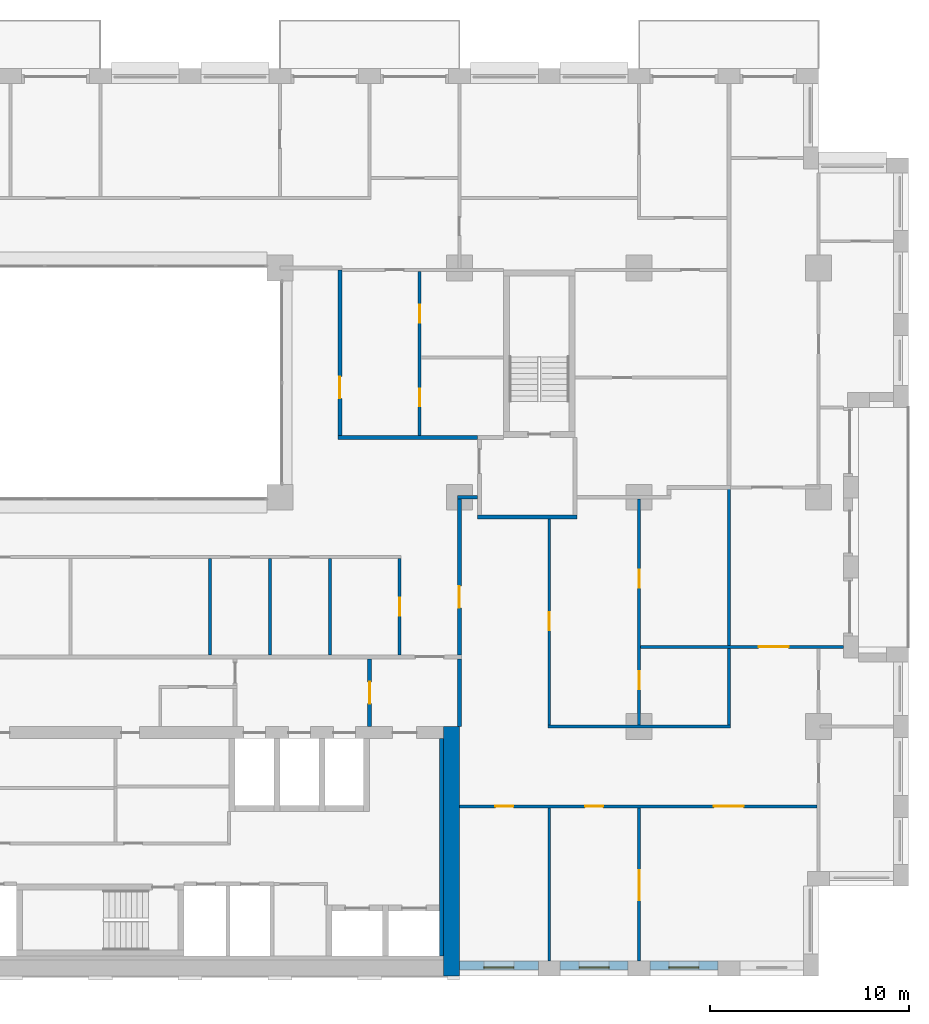
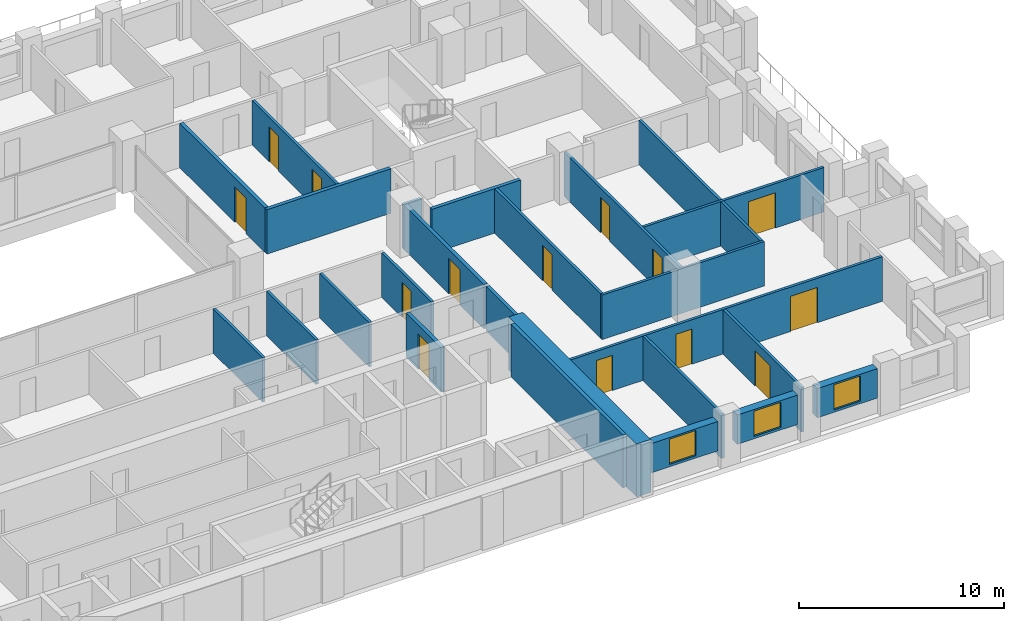
# One storey, part 11 of 17: 26 walls, 14 doors, 3 windows, 17 openings.
"""IFC4 building model written with IfcOpenShell, lengths in metres."""

from ifc_helpers import new_model, si_unit, direction, frame, frame_2d, origin, place, context, subcontext, project, spatial, rectangle, extrude, material, layer, layer_set, type_object, element, fill, save


model = new_model("IFC4")

# Units and contexts
model_context = context("Model", 3, precision=1e-05, world=origin(), true_north=direction((0.0, 1.0)))
body_context = subcontext(model_context, "Body", "Model", "MODEL_VIEW")
ifc_project = project(units=[si_unit("LENGTHUNIT", "METRE"), si_unit("AREAUNIT", "SQUARE_METRE"), si_unit("VOLUMEUNIT", "CUBIC_METRE"), si_unit("PLANEANGLEUNIT", "RADIAN"), si_unit("MASSUNIT", "GRAM", prefix="KILO")], contexts=[model_context])

# Site, building, storey
site_placement = place(None, origin())
site = spatial("IfcSite", under=ifc_project, at=site_placement, CompositionType="ELEMENT")
building_placement = place(site_placement, origin())
building = spatial("IfcBuilding", under=site, at=building_placement, Name="Brigalow Station Residences", CompositionType="ELEMENT")
storey_placement = place(building_placement, frame((0.0, 0.0, 127.64990234375)))
storey = spatial("IfcBuildingStorey", under=building, at=storey_placement, Name="L37", CompositionType="ELEMENT", Elevation=127.64990234375)

# Wall, opening, window
ifc_material_1 = material(Name="Clay brick masonry", Category="masonry")
ifc_layer_1 = layer(ifc_material_1, 0.449951171875)
ifc_layer_set_1 = layer_set([ifc_layer_1], Name="BRICK INFILL WALL 450")
wall_type_1 = type_object("IfcWallType", Name="BRICK INFILL WALL 450", PredefinedType="SOLIDWALL", material=ifc_layer_set_1)
wall_1_placement = place(storey_placement, frame((54.0, 0.52490234375, 0.900146484375), z_axis=(0.0, 0.0, 1.0), x_axis=(1.0, 0.0, 0.0)))
wall_1 = element("IfcWall", 1, at=wall_1_placement, inside=storey, type_object=wall_type_1, Name="L37/ewall/W-L37-4", PredefinedType="SOLIDWALL", context=body_context, shape_type="SweptSolid", body=[
    extrude(rectangle(XDim=3.949951171875, YDim=0.449951171875, at=frame_2d((1.97509765625, 0.0))), origin(), (0.0, 0.0, 1.0), 1.75),
])
opening_1_placement = place(wall_1_placement, frame((1.22509765625, 0.0, 0.14990234375)))
opening_1 = element("IfcOpeningElement", 2, at=opening_1_placement, cuts=wall_1, Name="Opening WT-1", PredefinedType="OPENING", context=body_context, shape_type="SweptSolid", body=[
    extrude(rectangle(XDim=1.5, YDim=1.5, at=frame_2d((0.75, 0.75))), frame((0.0, 0.23486328125, 0.0), z_axis=(0.0, -1.0, 0.0), x_axis=(1.0, 0.0, 0.0)), (0.0, 0.0, 1.0), 0.469970703125),
])
ifc_material_2 = material(Name="Anodised aluminium frame with double glazing", Category="aluminium")
window_type = type_object("IfcWindowType", Name="WINDOW 1500x1500", PartitioningType="SINGLE_PANEL", PredefinedType="WINDOW", material=ifc_material_2)
window_1_placement = place(opening_1_placement, origin())
window_1 = element("IfcWindow", 3, at=window_1_placement, inside=storey, type_object=window_type, Name="L37/window/W-L37-4", OverallHeight=1.5, OverallWidth=1.5, PartitioningType="SINGLE_PANEL", PredefinedType="WINDOW", context=body_context, shape_type="SweptSolid", body=[
    extrude(rectangle(XDim=1.5, YDim=1.5, at=frame_2d((0.75, 0.75))), frame((0.0, -0.06494140625, 0.0), z_axis=(0.0, -1.0, 0.0), x_axis=(1.0, 0.0, 0.0)), (0.0, 0.0, 1.0), 0.06005859375),
])
fill(opening_1, window_1)

wall_2_placement = place(storey_placement, frame((59.050048828125, 0.52490234375, 0.900146484375), z_axis=(0.0, 0.0, 1.0), x_axis=(1.0, 0.0, 0.0)))
wall_2 = element("IfcWall", 4, at=wall_2_placement, inside=storey, type_object=wall_type_1, Name="L37/ewall/W-L37-5", PredefinedType="SOLIDWALL", context=body_context, shape_type="SweptSolid", body=[
    extrude(rectangle(XDim=3.39990234375, YDim=0.449951171875, at=frame_2d((1.699951171875, 0.0))), origin(), (0.0, 0.0, 1.0), 1.75),
])
opening_2_placement = place(wall_2_placement, frame((0.949951171875, 0.0, 0.14990234375)))
opening_2 = element("IfcOpeningElement", 5, at=opening_2_placement, cuts=wall_2, Name="Opening WT-1", PredefinedType="OPENING", context=body_context, shape_type="SweptSolid", body=[
    extrude(rectangle(XDim=1.5, YDim=1.5, at=frame_2d((0.75, 0.75))), frame((0.0, 0.23486328125, 0.0), z_axis=(0.0, -1.0, 0.0), x_axis=(1.0, 0.0, 0.0)), (0.0, 0.0, 1.0), 0.469970703125),
])
window_2_placement = place(opening_2_placement, origin())
window_2 = element("IfcWindow", 6, at=window_2_placement, inside=storey, type_object=window_type, Name="L37/window/W-L37-5", OverallHeight=1.5, OverallWidth=1.5, PartitioningType="SINGLE_PANEL", PredefinedType="WINDOW", context=body_context, shape_type="SweptSolid", body=[
    extrude(rectangle(XDim=1.5, YDim=1.5, at=frame_2d((0.75, 0.75))), frame((0.0, -0.06494140625, 0.0), z_axis=(0.0, -1.0, 0.0), x_axis=(1.0, 0.0, 0.0)), (0.0, 0.0, 1.0), 0.06005859375),
])
fill(opening_2, window_2)

wall_3_placement = place(storey_placement, frame((63.550048828125, 0.52490234375, 0.900146484375), z_axis=(0.0, 0.0, 1.0), x_axis=(1.0, 0.0, 0.0)))
wall_3 = element("IfcWall", 7, at=wall_3_placement, inside=storey, type_object=wall_type_1, Name="L37/ewall/W-L37-6", PredefinedType="SOLIDWALL", context=body_context, shape_type="SweptSolid", body=[
    extrude(rectangle(XDim=3.39990234375, YDim=0.449951171875, at=frame_2d((1.699951171875, 0.0))), origin(), (0.0, 0.0, 1.0), 1.75),
])
opening_3_placement = place(wall_3_placement, frame((0.949951171875, 0.0, 0.14990234375)))
opening_3 = element("IfcOpeningElement", 8, at=opening_3_placement, cuts=wall_3, Name="Opening WT-1", PredefinedType="OPENING", context=body_context, shape_type="SweptSolid", body=[
    extrude(rectangle(XDim=1.5, YDim=1.5, at=frame_2d((0.75, 0.75))), frame((0.0, 0.23486328125, 0.0), z_axis=(0.0, -1.0, 0.0), x_axis=(1.0, 0.0, 0.0)), (0.0, 0.0, 1.0), 0.469970703125),
])
window_3_placement = place(opening_3_placement, origin())
window_3 = element("IfcWindow", 9, at=window_3_placement, inside=storey, type_object=window_type, Name="L37/window/W-L37-6", OverallHeight=1.5, OverallWidth=1.5, PartitioningType="SINGLE_PANEL", PredefinedType="WINDOW", context=body_context, shape_type="SweptSolid", body=[
    extrude(rectangle(XDim=1.5, YDim=1.5, at=frame_2d((0.75, 0.75))), frame((0.0, -0.06494140625, 0.0), z_axis=(0.0, -1.0, 0.0), x_axis=(1.0, 0.0, 0.0)), (0.0, 0.0, 1.0), 0.06005859375),
])
fill(opening_3, window_3)

# Walls
ifc_material_3 = material(Name="Concrete C65", Category="concrete")
ifc_layer_2 = layer(ifc_material_3, 0.199951171875)
ifc_layer_set_2 = layer_set([ifc_layer_2], Name="CORE SHEAR WALL 200 C65")
wall_type_2 = type_object("IfcWallType", Name="CORE SHEAR WALL 200 C65", PredefinedType="SHEAR", material=ifc_layer_set_2)
wall_4_placement = place(storey_placement, frame((53.10009765625, 1.0, 0.0), z_axis=(0.0, 0.0, 1.0), x_axis=(0.0, 1.0, 0.0)))
element("IfcWall", 10, at=wall_4_placement, inside=storey, type_object=wall_type_2, Name="CORE WALL LIN-E L37", PredefinedType="SHEAR", context=body_context, shape_type="SweptSolid", body=[
    extrude(rectangle(XDim=10.89990234375, YDim=0.199951171875, at=frame_2d((5.449951171875, 0.0))), origin(), (0.0, 0.0, 1.0), 3.150146484375),
])
ifc_material_4 = material(Name="Concrete C65", Category="concrete")
ifc_layer_3 = layer(ifc_material_4, 0.800048828125)
ifc_layer_set_3 = layer_set([ifc_layer_3], Name="CORE SHEAR WALL 800 C65")
wall_type_3 = type_object("IfcWallType", Name="CORE SHEAR WALL 800 C65", PredefinedType="SHEAR", material=ifc_layer_set_3)
wall_5_placement = place(storey_placement, frame((53.60009765625, 0.0, 0.0), z_axis=(0.0, 0.0, 1.0), x_axis=(0.0, 1.0, 0.0)))
element("IfcWall", 11, at=wall_5_placement, inside=storey, type_object=wall_type_3, Name="CORE WALL OUT-E L37", PredefinedType="SHEAR", context=body_context, shape_type="SweptSolid", body=[
    extrude(rectangle(XDim=12.5, YDim=0.800048828125, at=frame_2d((6.25, 0.0))), origin(), (0.0, 0.0, 1.0), 3.150146484375),
])
ifc_material_5 = material(Name="Concrete blockwork", Category="masonry")
ifc_layer_4 = layer(ifc_material_5, 0.199951171875)
ifc_layer_set_4 = layer_set([ifc_layer_4], Name="FIRE RATED CORE PARTITION 200")
wall_type_4 = type_object("IfcWallType", Name="FIRE RATED CORE PARTITION 200", PredefinedType="PARTITIONING", material=ifc_layer_set_4)
wall_6_placement = place(storey_placement, frame((54.89990234375, 23.0, 0.0), z_axis=(0.0, 0.0, 1.0), x_axis=(1.0, 0.0, 0.0)))
element("IfcWall", 12, at=wall_6_placement, inside=storey, type_object=wall_type_4, Name="PW-5024", PredefinedType="PARTITIONING", context=body_context, shape_type="SweptSolid", body=[
    extrude(rectangle(XDim=5.0, YDim=0.199951171875, at=frame_2d((2.5, 0.0))), origin(), (0.0, 0.0, 1.0), 2.650146484375),
])

# Wall, opening, door
wall_7_placement = place(storey_placement, frame((49.5, 12.5, 0.0), z_axis=(0.0, 0.0, 1.0), x_axis=(0.0, 1.0, 0.0)))
wall_7 = element("IfcWall", 13, at=wall_7_placement, inside=storey, type_object=wall_type_4, Name="PW-5015", PredefinedType="PARTITIONING", context=body_context, shape_type="SweptSolid", body=[
    extrude(rectangle(XDim=3.39990234375, YDim=0.199951171875, at=frame_2d((1.699951171875, 0.0))), origin(), (0.0, 0.0, 1.0), 2.650146484375),
])
opening_4_placement = place(wall_7_placement, frame((1.14990234375, 0.0, 0.0)))
opening_4 = element("IfcOpeningElement", 14, at=opening_4_placement, cuts=wall_7, Name="Opening D-5014", PredefinedType="OPENING", context=body_context, shape_type="SweptSolid", body=[
    extrude(rectangle(XDim=1.10009765625, YDim=2.10009765625, at=frame_2d((0.550048828125, 1.050048828125))), frame((0.0, 0.10986328125, 0.0), z_axis=(0.0, -1.0, 0.0), x_axis=(1.0, 0.0, 0.0)), (0.0, 0.0, 1.0), 0.219970703125),
])
ifc_material_6 = material(Name="Steel fire door leaf in steel frame", Category="steel")
door_type_1 = type_object("IfcDoorType", Name="LOBBY DOOR 1100 x 2100 FD60S", OperationType="SINGLE_SWING_LEFT", PredefinedType="DOOR", material=ifc_material_6)
door_1_placement = place(opening_4_placement, origin())
door_1 = element("IfcDoor", 15, at=door_1_placement, inside=storey, type_object=door_type_1, Name="D-5014", OperationType="SINGLE_SWING_LEFT", OverallHeight=2.10009765625, OverallWidth=1.10009765625, PredefinedType="DOOR", context=body_context, shape_type="SweptSolid", body=[
    extrude(rectangle(XDim=1.10009765625, YDim=2.10009765625, at=frame_2d((0.550048828125, 1.050048828125))), frame((0.0, 0.02490234375, 0.0), z_axis=(0.0, -1.0, 0.0), x_axis=(1.0, 0.0, 0.0)), (0.0, 0.0, 1.0), 0.050048828125),
])
fill(opening_4, door_1)

# Walls
wall_8_placement = place(storey_placement, frame((54.0, 12.5, 0.0), z_axis=(0.0, 0.0, 1.0), x_axis=(0.0, 1.0, 0.0)))
element("IfcWall", 16, at=wall_8_placement, inside=storey, type_object=wall_type_4, Name="PW-5016", PredefinedType="PARTITIONING", context=body_context, shape_type="SweptSolid", body=[
    extrude(rectangle(XDim=3.39990234375, YDim=0.199951171875, at=frame_2d((1.699951171875, 0.0))), origin(), (0.0, 0.0, 1.0), 2.650146484375),
])
ifc_material_7 = material(Name="Plasterboard on steel stud partition", Category="steel")
ifc_layer_5 = layer(ifc_material_7, 0.14990234375)
ifc_layer_set_5 = layer_set([ifc_layer_5], Name="FLAT PARTITION 150")
wall_type_5 = type_object("IfcWallType", Name="FLAT PARTITION 150", PredefinedType="PARTITIONING", material=ifc_layer_set_5)
wall_9_placement = place(storey_placement, frame((58.425048828125, 12.5, 0.0), z_axis=(0.0, 0.0, 1.0), x_axis=(1.0, 0.0, 0.0)))
element("IfcWall", 17, at=wall_9_placement, inside=storey, type_object=wall_type_5, Name="PW-2F11", PredefinedType="PARTITIONING", context=body_context, shape_type="SweptSolid", body=[
    extrude(rectangle(XDim=9.14990234375, YDim=0.14990234375, at=frame_2d((4.574951171875, 0.0))), origin(), (0.0, 0.0, 1.0), 2.650146484375),
])

# Wall, opening, door
wall_10_placement = place(storey_placement, frame((63.074951171875, 16.5, 0.0), z_axis=(0.0, 0.0, 1.0), x_axis=(1.0, 0.0, 0.0)))
wall_10 = element("IfcWall", 18, at=wall_10_placement, inside=storey, type_object=wall_type_5, Name="PW-2F14", PredefinedType="PARTITIONING", context=body_context, shape_type="SweptSolid", body=[
    extrude(rectangle(XDim=10.175048828125, YDim=0.14990234375, at=frame_2d((5.08740234375, 0.0))), origin(), (0.0, 0.0, 1.0), 2.650146484375),
])
opening_5_placement = place(wall_10_placement, frame((5.925048828125, 0.0, 0.0)))
opening_5 = element("IfcOpeningElement", 19, at=opening_5_placement, cuts=wall_10, Name="Opening D-2F45", PredefinedType="OPENING", context=body_context, shape_type="SweptSolid", body=[
    extrude(rectangle(XDim=1.5, YDim=2.10009765625, at=frame_2d((0.75, 1.050048828125))), frame((0.0, 0.0849609375, 0.0), z_axis=(0.0, -1.0, 0.0), x_axis=(1.0, 0.0, 0.0)), (0.0, 0.0, 1.0), 0.169921875),
])
ifc_material_8 = material(Name="Solid-core timber door leaf", Category="wood")
door_type_2 = type_object("IfcDoorType", Name="INTERNAL DOUBLE DOOR 1500 x 2100", OperationType="DOUBLE_DOOR_SINGLE_SWING", PredefinedType="DOOR", material=ifc_material_8)
door_2_placement = place(opening_5_placement, origin())
door_2 = element("IfcDoor", 20, at=door_2_placement, inside=storey, type_object=door_type_2, Name="D-2F45", OperationType="DOUBLE_DOOR_SINGLE_SWING", OverallHeight=2.10009765625, OverallWidth=1.5, PredefinedType="DOOR", context=body_context, shape_type="SweptSolid", body=[
    extrude(rectangle(XDim=1.5, YDim=2.10009765625, at=frame_2d((0.75, 1.050048828125))), frame((0.0, 0.02490234375, 0.0), z_axis=(0.0, -1.0, 0.0), x_axis=(1.0, 0.0, 0.0)), (0.0, 0.0, 1.0), 0.050048828125),
])
fill(opening_5, door_2)

# Wall, openings, doors
wall_11_placement = place(storey_placement, frame((54.0, 8.5, 0.0), z_axis=(0.0, 0.0, 1.0), x_axis=(1.0, 0.0, 0.0)))
wall_11 = element("IfcWall", 21, at=wall_11_placement, inside=storey, type_object=wall_type_5, Name="PW-2F16", PredefinedType="PARTITIONING", context=body_context, shape_type="SweptSolid", body=[
    extrude(rectangle(XDim=17.925048828125, YDim=0.14990234375, at=frame_2d((8.96240234375, 0.0))), origin(), (0.0, 0.0, 1.0), 2.650146484375),
])
opening_6_placement = place(wall_11_placement, frame((1.800048828125, 0.0, 0.0)))
opening_6 = element("IfcOpeningElement", 22, at=opening_6_placement, cuts=wall_11, Name="Opening D-2F36", PredefinedType="OPENING", context=body_context, shape_type="SweptSolid", body=[
    extrude(rectangle(XDim=0.89990234375, YDim=2.10009765625, at=frame_2d((0.449951171875, 1.050048828125))), frame((0.0, 0.0849609375, 0.0), z_axis=(0.0, -1.0, 0.0), x_axis=(1.0, 0.0, 0.0)), (0.0, 0.0, 1.0), 0.169921875),
])
opening_7_placement = place(wall_11_placement, frame((12.75, 0.0, 0.0)))
opening_7 = element("IfcOpeningElement", 23, at=opening_7_placement, cuts=wall_11, Name="Opening D-2F37", PredefinedType="OPENING", context=body_context, shape_type="SweptSolid", body=[
    extrude(rectangle(XDim=1.5, YDim=2.10009765625, at=frame_2d((0.75, 1.050048828125))), frame((0.0, 0.0849609375, 0.0), z_axis=(0.0, -1.0, 0.0), x_axis=(1.0, 0.0, 0.0)), (0.0, 0.0, 1.0), 0.169921875),
])
opening_8_placement = place(wall_11_placement, frame((6.300048828125, 0.0, 0.0)))
opening_8 = element("IfcOpeningElement", 24, at=opening_8_placement, cuts=wall_11, Name="Opening D-2F38", PredefinedType="OPENING", context=body_context, shape_type="SweptSolid", body=[
    extrude(rectangle(XDim=0.89990234375, YDim=2.10009765625, at=frame_2d((0.449951171875, 1.050048828125))), frame((0.0, 0.0849609375, 0.0), z_axis=(0.0, -1.0, 0.0), x_axis=(1.0, 0.0, 0.0)), (0.0, 0.0, 1.0), 0.169921875),
])
ifc_material_9 = material(Name="Solid-core timber door leaf", Category="wood")
door_type_3 = type_object("IfcDoorType", Name="INTERNAL DOOR 900 x 2100", OperationType="SINGLE_SWING_LEFT", PredefinedType="DOOR", material=ifc_material_9)
door_3_placement = place(opening_6_placement, frame((0.89990234375, 0.0, 0.0), z_axis=(0.0, 0.0, 1.0), x_axis=(-1.0, 0.0, 0.0)))
door_3 = element("IfcDoor", 25, at=door_3_placement, inside=storey, type_object=door_type_3, Name="D-2F36", OperationType="SINGLE_SWING_LEFT", OverallHeight=2.10009765625, OverallWidth=0.89990234375, PredefinedType="DOOR", context=body_context, shape_type="SweptSolid", body=[
    extrude(rectangle(XDim=0.89990234375, YDim=2.10009765625, at=frame_2d((0.449951171875, 1.050048828125))), frame((0.0, 0.02490234375, 0.0), z_axis=(0.0, -1.0, 0.0), x_axis=(1.0, 0.0, 0.0)), (0.0, 0.0, 1.0), 0.050048828125),
])
fill(opening_6, door_3)
door_4_placement = place(opening_8_placement, frame((0.89990234375, 0.0, 0.0), z_axis=(0.0, 0.0, 1.0), x_axis=(-1.0, 0.0, 0.0)))
door_4 = element("IfcDoor", 26, at=door_4_placement, inside=storey, type_object=door_type_3, Name="D-2F38", OperationType="SINGLE_SWING_LEFT", OverallHeight=2.10009765625, OverallWidth=0.89990234375, PredefinedType="DOOR", context=body_context, shape_type="SweptSolid", body=[
    extrude(rectangle(XDim=0.89990234375, YDim=2.10009765625, at=frame_2d((0.449951171875, 1.050048828125))), frame((0.0, 0.02490234375, 0.0), z_axis=(0.0, -1.0, 0.0), x_axis=(1.0, 0.0, 0.0)), (0.0, 0.0, 1.0), 0.050048828125),
])
fill(opening_8, door_4)
door_5_placement = place(opening_7_placement, frame((1.5, 0.0, 0.0), z_axis=(0.0, 0.0, 1.0), x_axis=(-1.0, 0.0, 0.0)))
door_5 = element("IfcDoor", 27, at=door_5_placement, inside=storey, type_object=door_type_2, Name="D-2F37", OperationType="DOUBLE_DOOR_SINGLE_SWING", OverallHeight=2.10009765625, OverallWidth=1.5, PredefinedType="DOOR", context=body_context, shape_type="SweptSolid", body=[
    extrude(rectangle(XDim=1.5, YDim=2.10009765625, at=frame_2d((0.75, 1.050048828125))), frame((0.0, 0.02490234375, 0.0), z_axis=(0.0, -1.0, 0.0), x_axis=(1.0, 0.0, 0.0)), (0.0, 0.0, 1.0), 0.050048828125),
])
fill(opening_7, door_5)

# Wall, opening, door
wall_12_placement = place(storey_placement, frame((51.0, 16.10009765625, 0.0), z_axis=(0.0, 0.0, 1.0), x_axis=(0.0, 1.0, 0.0)))
wall_12 = element("IfcWall", 28, at=wall_12_placement, inside=storey, type_object=wall_type_5, Name="PW-2F44", PredefinedType="PARTITIONING", context=body_context, shape_type="SweptSolid", body=[
    extrude(rectangle(XDim=4.824951171875, YDim=0.14990234375, at=frame_2d((2.41259765625, 0.0))), origin(), (0.0, 0.0, 1.0), 2.650146484375),
])
opening_9_placement = place(wall_12_placement, frame((1.949951171875, 0.0, 0.0)))
opening_9 = element("IfcOpeningElement", 29, at=opening_9_placement, cuts=wall_12, Name="Opening D-2F56", PredefinedType="OPENING", context=body_context, shape_type="SweptSolid", body=[
    extrude(rectangle(XDim=0.89990234375, YDim=2.10009765625, at=frame_2d((0.449951171875, 1.050048828125))), frame((0.0, 0.0849609375, 0.0), z_axis=(0.0, -1.0, 0.0), x_axis=(1.0, 0.0, 0.0)), (0.0, 0.0, 1.0), 0.169921875),
])
door_6_placement = place(opening_9_placement, origin())
door_6 = element("IfcDoor", 30, at=door_6_placement, inside=storey, type_object=door_type_3, Name="D-2F56", OperationType="SINGLE_SWING_LEFT", OverallHeight=2.10009765625, OverallWidth=0.89990234375, PredefinedType="DOOR", context=body_context, shape_type="SweptSolid", body=[
    extrude(rectangle(XDim=0.89990234375, YDim=2.10009765625, at=frame_2d((0.449951171875, 1.050048828125))), frame((0.0, 0.02490234375, 0.0), z_axis=(0.0, -1.0, 0.0), x_axis=(1.0, 0.0, 0.0)), (0.0, 0.0, 1.0), 0.050048828125),
])
fill(opening_9, door_6)

# Wall, openings, doors
wall_13_placement = place(storey_placement, frame((52.0, 27.10009765625, 0.0), z_axis=(0.0, 0.0, 1.0), x_axis=(0.0, 1.0, 0.0)))
wall_13 = element("IfcWall", 31, at=wall_13_placement, inside=storey, type_object=wall_type_5, Name="PW-2F56", PredefinedType="PARTITIONING", context=body_context, shape_type="SweptSolid", body=[
    extrude(rectangle(XDim=8.224853515625, YDim=0.14990234375, at=frame_2d((4.1123046875, 0.0))), origin(), (0.0, 0.0, 1.0), 2.650146484375),
])
opening_10_placement = place(wall_13_placement, frame((1.449951171875, 0.0, 0.0)))
opening_10 = element("IfcOpeningElement", 32, at=opening_10_placement, cuts=wall_13, Name="Opening D-2F21", PredefinedType="OPENING", context=body_context, shape_type="SweptSolid", body=[
    extrude(rectangle(XDim=0.89990234375, YDim=2.10009765625, at=frame_2d((0.449951171875, 1.050048828125))), frame((0.0, 0.0849609375, 0.0), z_axis=(0.0, -1.0, 0.0), x_axis=(1.0, 0.0, 0.0)), (0.0, 0.0, 1.0), 0.169921875),
])
opening_11_placement = place(wall_13_placement, frame((5.64990234375, 0.0, 0.0)))
opening_11 = element("IfcOpeningElement", 33, at=opening_11_placement, cuts=wall_13, Name="Opening D-2F22", PredefinedType="OPENING", context=body_context, shape_type="SweptSolid", body=[
    extrude(rectangle(XDim=0.89990234375, YDim=2.10009765625, at=frame_2d((0.449951171875, 1.050048828125))), frame((0.0, 0.0849609375, 0.0), z_axis=(0.0, -1.0, 0.0), x_axis=(1.0, 0.0, 0.0)), (0.0, 0.0, 1.0), 0.169921875),
])
door_7_placement = place(opening_10_placement, frame((0.89990234375, 0.0, 0.0), z_axis=(0.0, 0.0, 1.0), x_axis=(-1.0, 0.0, 0.0)))
door_7 = element("IfcDoor", 34, at=door_7_placement, inside=storey, type_object=door_type_3, Name="D-2F21", OperationType="SINGLE_SWING_RIGHT", OverallHeight=2.10009765625, OverallWidth=0.89990234375, PredefinedType="DOOR", context=body_context, shape_type="SweptSolid", body=[
    extrude(rectangle(XDim=0.89990234375, YDim=2.10009765625, at=frame_2d((0.449951171875, 1.050048828125))), frame((0.0, 0.02490234375, 0.0), z_axis=(0.0, -1.0, 0.0), x_axis=(1.0, 0.0, 0.0)), (0.0, 0.0, 1.0), 0.050048828125),
])
fill(opening_10, door_7)
door_8_placement = place(opening_11_placement, frame((0.89990234375, 0.0, 0.0), z_axis=(0.0, 0.0, 1.0), x_axis=(-1.0, 0.0, 0.0)))
door_8 = element("IfcDoor", 35, at=door_8_placement, inside=storey, type_object=door_type_3, Name="D-2F22", OperationType="SINGLE_SWING_LEFT", OverallHeight=2.10009765625, OverallWidth=0.89990234375, PredefinedType="DOOR", context=body_context, shape_type="SweptSolid", body=[
    extrude(rectangle(XDim=0.89990234375, YDim=2.10009765625, at=frame_2d((0.449951171875, 1.050048828125))), frame((0.0, 0.02490234375, 0.0), z_axis=(0.0, -1.0, 0.0), x_axis=(1.0, 0.0, 0.0)), (0.0, 0.0, 1.0), 0.050048828125),
])
fill(opening_11, door_8)

# Wall, opening, door
wall_14_placement = place(storey_placement, frame((63.0, 0.75, 0.0), z_axis=(0.0, 0.0, 1.0), x_axis=(0.0, 1.0, 0.0)))
wall_14 = element("IfcWall", 36, at=wall_14_placement, inside=storey, type_object=wall_type_5, Name="PW-2F61", PredefinedType="PARTITIONING", context=body_context, shape_type="SweptSolid", body=[
    extrude(rectangle(XDim=7.675048828125, YDim=0.14990234375, at=frame_2d((3.83740234375, 0.0))), origin(), (0.0, 0.0, 1.0), 2.650146484375),
])
opening_12_placement = place(wall_14_placement, frame((3.050048828125, 0.0, 0.0)))
opening_12 = element("IfcOpeningElement", 37, at=opening_12_placement, cuts=wall_14, Name="Opening D-2F39", PredefinedType="OPENING", context=body_context, shape_type="SweptSolid", body=[
    extrude(rectangle(XDim=1.5, YDim=2.10009765625, at=frame_2d((0.75, 1.050048828125))), frame((0.0, 0.0849609375, 0.0), z_axis=(0.0, -1.0, 0.0), x_axis=(1.0, 0.0, 0.0)), (0.0, 0.0, 1.0), 0.169921875),
])
door_9_placement = place(opening_12_placement, origin())
door_9 = element("IfcDoor", 38, at=door_9_placement, inside=storey, type_object=door_type_2, Name="D-2F39", OperationType="DOUBLE_DOOR_SINGLE_SWING", OverallHeight=2.10009765625, OverallWidth=1.5, PredefinedType="DOOR", context=body_context, shape_type="SweptSolid", body=[
    extrude(rectangle(XDim=1.5, YDim=2.10009765625, at=frame_2d((0.75, 1.050048828125))), frame((0.0, 0.02490234375, 0.0), z_axis=(0.0, -1.0, 0.0), x_axis=(1.0, 0.0, 0.0)), (0.0, 0.0, 1.0), 0.050048828125),
])
fill(opening_12, door_9)

# Wall, openings, doors
wall_15_placement = place(storey_placement, frame((63.0, 12.574951171875, 0.0), z_axis=(0.0, 0.0, 1.0), x_axis=(0.0, 1.0, 0.0)))
wall_15 = element("IfcWall", 39, at=wall_15_placement, inside=storey, type_object=wall_type_5, Name="PW-2F62", PredefinedType="PARTITIONING", context=body_context, shape_type="SweptSolid", body=[
    extrude(rectangle(XDim=11.324951171875, YDim=0.14990234375, at=frame_2d((5.66259765625, 0.0))), origin(), (0.0, 0.0, 1.0), 2.650146484375),
])
opening_13_placement = place(wall_15_placement, frame((1.800048828125, 0.0, 0.0)))
opening_13 = element("IfcOpeningElement", 40, at=opening_13_placement, cuts=wall_15, Name="Opening D-2F42", PredefinedType="OPENING", context=body_context, shape_type="SweptSolid", body=[
    extrude(rectangle(XDim=0.89990234375, YDim=2.10009765625, at=frame_2d((0.449951171875, 1.050048828125))), frame((0.0, 0.0849609375, 0.0), z_axis=(0.0, -1.0, 0.0), x_axis=(1.0, 0.0, 0.0)), (0.0, 0.0, 1.0), 0.169921875),
])
opening_14_placement = place(wall_15_placement, frame((6.89990234375, 0.0, 0.0)))
opening_14 = element("IfcOpeningElement", 41, at=opening_14_placement, cuts=wall_15, Name="Opening D-2F43", PredefinedType="OPENING", context=body_context, shape_type="SweptSolid", body=[
    extrude(rectangle(XDim=0.89990234375, YDim=2.10009765625, at=frame_2d((0.449951171875, 1.050048828125))), frame((0.0, 0.0849609375, 0.0), z_axis=(0.0, -1.0, 0.0), x_axis=(1.0, 0.0, 0.0)), (0.0, 0.0, 1.0), 0.169921875),
])
door_10_placement = place(opening_13_placement, frame((0.89990234375, 0.0, 0.0), z_axis=(0.0, 0.0, 1.0), x_axis=(-1.0, 0.0, 0.0)))
door_10 = element("IfcDoor", 42, at=door_10_placement, inside=storey, type_object=door_type_3, Name="D-2F42", OperationType="SINGLE_SWING_LEFT", OverallHeight=2.10009765625, OverallWidth=0.89990234375, PredefinedType="DOOR", context=body_context, shape_type="SweptSolid", body=[
    extrude(rectangle(XDim=0.89990234375, YDim=2.10009765625, at=frame_2d((0.449951171875, 1.050048828125))), frame((0.0, 0.02490234375, 0.0), z_axis=(0.0, -1.0, 0.0), x_axis=(1.0, 0.0, 0.0)), (0.0, 0.0, 1.0), 0.050048828125),
])
fill(opening_13, door_10)
door_11_placement = place(opening_14_placement, frame((0.89990234375, 0.0, 0.0), z_axis=(0.0, 0.0, 1.0), x_axis=(-1.0, 0.0, 0.0)))
door_11 = element("IfcDoor", 43, at=door_11_placement, inside=storey, type_object=door_type_3, Name="D-2F43", OperationType="SINGLE_SWING_RIGHT", OverallHeight=2.10009765625, OverallWidth=0.89990234375, PredefinedType="DOOR", context=body_context, shape_type="SweptSolid", body=[
    extrude(rectangle(XDim=0.89990234375, YDim=2.10009765625, at=frame_2d((0.449951171875, 1.050048828125))), frame((0.0, 0.02490234375, 0.0), z_axis=(0.0, -1.0, 0.0), x_axis=(1.0, 0.0, 0.0)), (0.0, 0.0, 1.0), 0.050048828125),
])
fill(opening_14, door_11)

# Walls
wall_16_placement = place(storey_placement, frame((67.5, 12.574951171875, 0.0), z_axis=(0.0, 0.0, 1.0), x_axis=(0.0, 1.0, 0.0)))
element("IfcWall", 44, at=wall_16_placement, inside=storey, type_object=wall_type_5, Name="PW-2F64", PredefinedType="PARTITIONING", context=body_context, shape_type="SweptSolid", body=[
    extrude(rectangle(XDim=3.85009765625, YDim=0.14990234375, at=frame_2d((1.925048828125, 0.0))), origin(), (0.0, 0.0, 1.0), 2.650146484375),
])
wall_17_placement = place(storey_placement, frame((67.5, 16.574951171875, 0.0), z_axis=(0.0, 0.0, 1.0), x_axis=(0.0, 1.0, 0.0)))
element("IfcWall", 45, at=wall_17_placement, inside=storey, type_object=wall_type_5, Name="PW-2F65", PredefinedType="PARTITIONING", context=body_context, shape_type="SweptSolid", body=[
    extrude(rectangle(XDim=7.85009765625, YDim=0.14990234375, at=frame_2d((3.925048828125, 0.0))), origin(), (0.0, 0.0, 1.0), 2.650146484375),
])
wall_18_placement = place(storey_placement, frame((58.5, 0.75, 0.0), z_axis=(0.0, 0.0, 1.0), x_axis=(0.0, 1.0, 0.0)))
element("IfcWall", 46, at=wall_18_placement, inside=storey, type_object=wall_type_5, Name="PW-2F68", PredefinedType="PARTITIONING", context=body_context, shape_type="SweptSolid", body=[
    extrude(rectangle(XDim=7.675048828125, YDim=0.14990234375, at=frame_2d((3.83740234375, 0.0))), origin(), (0.0, 0.0, 1.0), 2.650146484375),
])

# Wall, opening, door
wall_19_placement = place(storey_placement, frame((58.5, 12.574951171875, 0.0), z_axis=(0.0, 0.0, 1.0), x_axis=(0.0, 1.0, 0.0)))
wall_19 = element("IfcWall", 47, at=wall_19_placement, inside=storey, type_object=wall_type_5, Name="PW-2F69", PredefinedType="PARTITIONING", context=body_context, shape_type="SweptSolid", body=[
    extrude(rectangle(XDim=10.324951171875, YDim=0.14990234375, at=frame_2d((5.16259765625, 0.0))), origin(), (0.0, 0.0, 1.0), 2.650146484375),
])
opening_15_placement = place(wall_19_placement, frame((4.75, 0.0, 0.0)))
opening_15 = element("IfcOpeningElement", 48, at=opening_15_placement, cuts=wall_19, Name="Opening D-2F41", PredefinedType="OPENING", context=body_context, shape_type="SweptSolid", body=[
    extrude(rectangle(XDim=0.89990234375, YDim=2.10009765625, at=frame_2d((0.449951171875, 1.050048828125))), frame((0.0, 0.0849609375, 0.0), z_axis=(0.0, -1.0, 0.0), x_axis=(1.0, 0.0, 0.0)), (0.0, 0.0, 1.0), 0.169921875),
])
door_12_placement = place(opening_15_placement, frame((0.89990234375, 0.0, 0.0), z_axis=(0.0, 0.0, 1.0), x_axis=(-1.0, 0.0, 0.0)))
door_12 = element("IfcDoor", 49, at=door_12_placement, inside=storey, type_object=door_type_3, Name="D-2F41", OperationType="SINGLE_SWING_LEFT", OverallHeight=2.10009765625, OverallWidth=0.89990234375, PredefinedType="DOOR", context=body_context, shape_type="SweptSolid", body=[
    extrude(rectangle(XDim=0.89990234375, YDim=2.10009765625, at=frame_2d((0.449951171875, 1.050048828125))), frame((0.0, 0.02490234375, 0.0), z_axis=(0.0, -1.0, 0.0), x_axis=(1.0, 0.0, 0.0)), (0.0, 0.0, 1.0), 0.050048828125),
])
fill(opening_15, door_12)

# Walls
for number, where, z_axis, x_axis, name in (
    (50, (41.5, 16.10009765625, 0.0), (0.0, 0.0, 1.0), (0.0, 1.0, 0.0), "PW-2F74"),
    (51, (44.5, 16.10009765625, 0.0), (0.0, 0.0, 1.0), (0.0, 1.0, 0.0), "PW-2F75"),
    (52, (47.5, 16.10009765625, 0.0), (0.0, 0.0, 1.0), (0.0, 1.0, 0.0), "PW-2F76"),
):
    element("IfcWall", number, at=place(storey_placement, frame(where, z_axis=z_axis, x_axis=x_axis)), inside=storey, type_object=wall_type_5, Name=name, PredefinedType="PARTITIONING", context=body_context, shape_type="SweptSolid", body=[
        extrude(rectangle(XDim=4.824951171875, YDim=0.14990234375, at=frame_2d((2.41259765625, 0.0))), origin(), (0.0, 0.0, 1.0), 2.650146484375),
    ])
ifc_material_10 = material(Name="Plasterboard on steel stud partition", Category="steel")
ifc_layer_6 = layer(ifc_material_10, 0.199951171875)
ifc_layer_set_6 = layer_set([ifc_layer_6], Name="PARTY AND CORRIDOR WALL 200")
wall_type_6 = type_object("IfcWallType", Name="PARTY AND CORRIDOR WALL 200", PredefinedType="PARTITIONING", material=ifc_layer_set_6)
wall_20_placement = place(storey_placement, frame((53.89990234375, 24.0, 0.0), z_axis=(0.0, 0.0, 1.0), x_axis=(1.0, 0.0, 0.0)))
element("IfcWall", 53, at=wall_20_placement, inside=storey, type_object=wall_type_6, Name="PW-2F03", PredefinedType="PARTITIONING", context=body_context, shape_type="SweptSolid", body=[
    extrude(rectangle(XDim=1.0, YDim=0.199951171875, at=frame_2d((0.5, 0.0))), origin(), (0.0, 0.0, 1.0), 2.650146484375),
])
wall_21_placement = place(storey_placement, frame((47.89990234375, 27.0, 0.0), z_axis=(0.0, 0.0, 1.0), x_axis=(1.0, 0.0, 0.0)))
element("IfcWall", 54, at=wall_21_placement, inside=storey, type_object=wall_type_6, Name="PW-2F06", PredefinedType="PARTITIONING", context=body_context, shape_type="SweptSolid", body=[
    extrude(rectangle(XDim=7.0, YDim=0.199951171875, at=frame_2d((3.5, 0.0))), origin(), (0.0, 0.0, 1.0), 2.650146484375),
])

# Wall, opening, door
wall_22_placement = place(storey_placement, frame((54.0, 16.10009765625, 0.0), z_axis=(0.0, 0.0, 1.0), x_axis=(0.0, 1.0, 0.0)))
wall_22 = element("IfcWall", 55, at=wall_22_placement, inside=storey, type_object=wall_type_6, Name="PW-2F42", PredefinedType="PARTITIONING", context=body_context, shape_type="SweptSolid", body=[
    extrude(rectangle(XDim=7.7998046875, YDim=0.199951171875, at=frame_2d((3.89990234375, 0.0))), origin(), (0.0, 0.0, 1.0), 2.650146484375),
])
opening_16_placement = place(wall_22_placement, frame((2.35009765625, 0.0, 0.0)))
opening_16 = element("IfcOpeningElement", 56, at=opening_16_placement, cuts=wall_22, Name="Opening D-2F35", PredefinedType="OPENING", context=body_context, shape_type="SweptSolid", body=[
    extrude(rectangle(XDim=1.10009765625, YDim=2.10009765625, at=frame_2d((0.550048828125, 1.050048828125))), frame((0.0, 0.10986328125, 0.0), z_axis=(0.0, -1.0, 0.0), x_axis=(1.0, 0.0, 0.0)), (0.0, 0.0, 1.0), 0.219970703125),
])
ifc_material_11 = material(Name="Solid-core timber door leaf", Category="wood")
door_type_4 = type_object("IfcDoorType", Name="FLAT ENTRANCE DOOR 1100 x 2100 FRL -/60/30", OperationType="SINGLE_SWING_LEFT", PredefinedType="DOOR", material=ifc_material_11)
door_13_placement = place(opening_16_placement, frame((1.10009765625, 0.0, 0.0), z_axis=(0.0, 0.0, 1.0), x_axis=(-1.0, 0.0, 0.0)))
door_13 = element("IfcDoor", 57, at=door_13_placement, inside=storey, type_object=door_type_4, Name="D-2F35", OperationType="SINGLE_SWING_LEFT", OverallHeight=2.10009765625, OverallWidth=1.10009765625, PredefinedType="DOOR", context=body_context, shape_type="SweptSolid", body=[
    extrude(rectangle(XDim=1.10009765625, YDim=2.10009765625, at=frame_2d((0.550048828125, 1.050048828125))), frame((0.0, 0.02490234375, 0.0), z_axis=(0.0, -1.0, 0.0), x_axis=(1.0, 0.0, 0.0)), (0.0, 0.0, 1.0), 0.050048828125),
])
fill(opening_16, door_13)

wall_23_placement = place(storey_placement, frame((48.0, 27.10009765625, 0.0), z_axis=(0.0, 0.0, 1.0), x_axis=(0.0, 1.0, 0.0)))
wall_23 = element("IfcWall", 58, at=wall_23_placement, inside=storey, type_object=wall_type_6, Name="PW-2F47", PredefinedType="PARTITIONING", context=body_context, shape_type="SweptSolid", body=[
    extrude(rectangle(XDim=8.2998046875, YDim=0.199951171875, at=frame_2d((4.14990234375, 0.0))), origin(), (0.0, 0.0, 1.0), 2.650146484375),
])
opening_17_placement = place(wall_23_placement, frame((1.85009765625, 0.0, 0.0)))
opening_17 = element("IfcOpeningElement", 59, at=opening_17_placement, cuts=wall_23, Name="Opening D-2F20", PredefinedType="OPENING", context=body_context, shape_type="SweptSolid", body=[
    extrude(rectangle(XDim=1.10009765625, YDim=2.10009765625, at=frame_2d((0.550048828125, 1.050048828125))), frame((0.0, 0.10986328125, 0.0), z_axis=(0.0, -1.0, 0.0), x_axis=(1.0, 0.0, 0.0)), (0.0, 0.0, 1.0), 0.219970703125),
])
door_14_placement = place(opening_17_placement, frame((1.10009765625, 0.0, 0.0), z_axis=(0.0, 0.0, 1.0), x_axis=(-1.0, 0.0, 0.0)))
door_14 = element("IfcDoor", 60, at=door_14_placement, inside=storey, type_object=door_type_4, Name="D-2F20", OperationType="SINGLE_SWING_RIGHT", OverallHeight=2.10009765625, OverallWidth=1.10009765625, PredefinedType="DOOR", context=body_context, shape_type="SweptSolid", body=[
    extrude(rectangle(XDim=1.10009765625, YDim=2.10009765625, at=frame_2d((0.550048828125, 1.050048828125))), frame((0.0, 0.02490234375, 0.0), z_axis=(0.0, -1.0, 0.0), x_axis=(1.0, 0.0, 0.0)), (0.0, 0.0, 1.0), 0.050048828125),
])
fill(opening_17, door_14)

save(model, "model.ifc")
